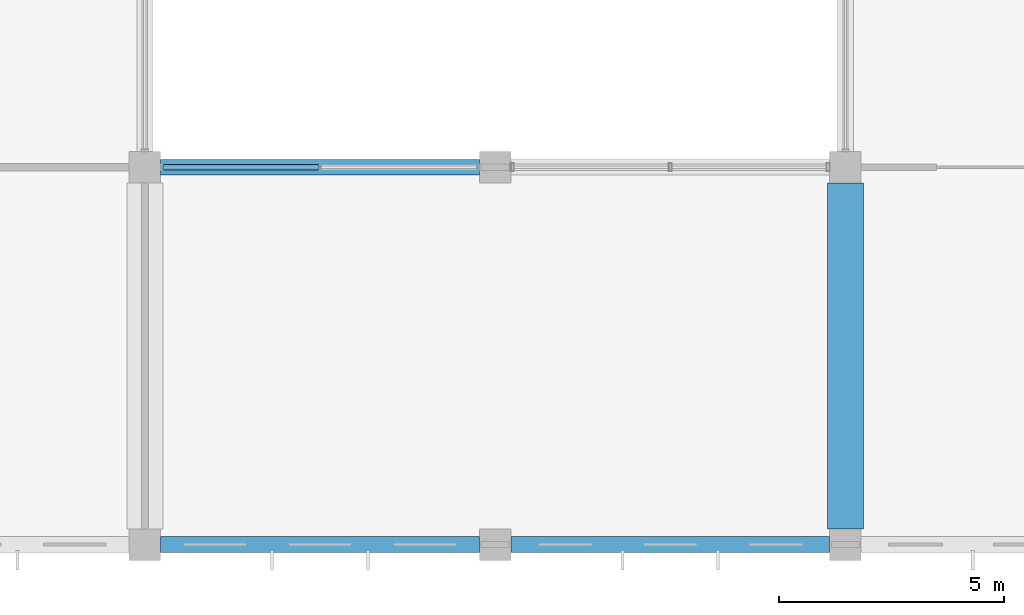
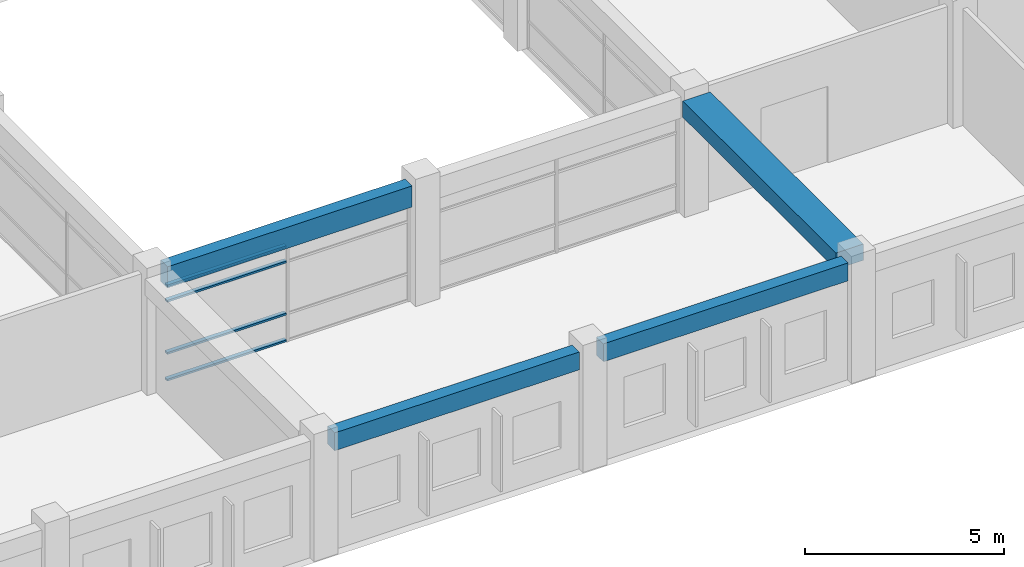
# One storey, part 25 of 72: 4 beams, 4 members, 1 element without a shape of its own.
"""IFC4 building model written with IfcOpenShell, lengths in metres."""

from ifc_helpers import new_model, si_unit, direction, frame, origin, origin_2d, place, context, subcontext, project, spatial, rectangle, hollow_rectangle, extrude, material, material_profile, profile_set, type_object, element, aggregate, save


model = new_model("IFC4")

# Units and contexts
model_context = context("Model", 3, precision=1e-05, world=origin(), true_north=direction((0.0, 1.0)))
body_context = subcontext(model_context, "Body", "Model", "MODEL_VIEW")
ifc_project = project(units=[si_unit("LENGTHUNIT", "METRE"), si_unit("AREAUNIT", "SQUARE_METRE"), si_unit("VOLUMEUNIT", "CUBIC_METRE"), si_unit("PLANEANGLEUNIT", "RADIAN"), si_unit("MASSUNIT", "GRAM", prefix="KILO"), si_unit("THERMODYNAMICTEMPERATUREUNIT", "KELVIN"), si_unit("POWERUNIT", "WATT")], contexts=[model_context])

# Site, building, storey
site_placement = place(None, origin())
site = spatial("IfcSite", under=ifc_project, at=site_placement, CompositionType="ELEMENT")
building_placement = place(site_placement, origin())
building = spatial("IfcBuilding", under=site, at=building_placement, Name="Srebrne Nadtorze General Hospital", CompositionType="ELEMENT")
storey_placement = place(building_placement, frame((0.0, 0.0, 22.199951171875)))
storey = spatial("IfcBuildingStorey", under=building, at=storey_placement, Name="L05", CompositionType="ELEMENT", Elevation=22.199951171875)

# Curtain wall, members
ifc_material_1 = material(Name="Anodised Aluminium", Category="aluminium")
curtain_wall_type = type_object("IfcCurtainWallType", Name="Unitised curtain wall 7100x2950", PredefinedType="NOTDEFINED", material=ifc_material_1)
curtain_wall_placement = place(storey_placement, origin())
curtain_wall = element("IfcCurtainWall", 1, at=curtain_wall_placement, inside=storey, type_object=curtain_wall_type, Name="Curtain wall CW-114", PredefinedType="NOTDEFINED")
ifc_material_2 = material(Name="Anodised Aluminium", Category="aluminium")
ifc_material_profile_1 = material_profile(ifc_material_2, hollow_rectangle(XDim=0.06005859375, YDim=0.1201171875, WallThickness=0.00390625, at=origin_2d()), Name="AL-TRN-60x120")
ifc_profile_set_1 = profile_set([ifc_material_profile_1], Name="Anodised Aluminium")
member_type = type_object("IfcMemberType", Name="Curtain transom 60x120", PredefinedType="USERDEFINED", material=ifc_profile_set_1)
member_1_placement = place(storey_placement, frame((117.409912109375, 8.39990234375, 0.030029296875), z_axis=(1.0, 0.0, 0.0), x_axis=(0.0, 0.0, 1.0)))
member_1 = element("IfcMember", 2, at=member_1_placement, type_object=member_type, Name="CW-114 transom 1.1", ObjectType="TRANSOM", PredefinedType="USERDEFINED", context=body_context, shape_type="SweptSolid", body=[
    extrude(hollow_rectangle(XDim=0.06005859375, YDim=0.1201171875, WallThickness=0.00390625, at=origin_2d()), origin(), (0.0, 0.0, 1.0), 3.460205078125),
])
member_2_placement = place(storey_placement, frame((117.409912109375, 8.39990234375, 0.85009765625), z_axis=(1.0, 0.0, 0.0), x_axis=(0.0, 0.0, 1.0)))
member_2 = element("IfcMember", 3, at=member_2_placement, type_object=member_type, Name="CW-114 transom 1.2", ObjectType="TRANSOM", PredefinedType="USERDEFINED", context=body_context, shape_type="SweptSolid", body=[
    extrude(hollow_rectangle(XDim=0.06005859375, YDim=0.1201171875, WallThickness=0.00390625, at=origin_2d()), origin(), (0.0, 0.0, 1.0), 3.460205078125),
])
member_3_placement = place(storey_placement, frame((117.409912109375, 8.39990234375, 2.449951171875), z_axis=(1.0, 0.0, 0.0), x_axis=(0.0, 0.0, 1.0)))
member_3 = element("IfcMember", 4, at=member_3_placement, type_object=member_type, Name="CW-114 transom 1.3", ObjectType="TRANSOM", PredefinedType="USERDEFINED", context=body_context, shape_type="SweptSolid", body=[
    extrude(hollow_rectangle(XDim=0.06005859375, YDim=0.1201171875, WallThickness=0.00390625, at=origin_2d()), origin(), (0.0, 0.0, 1.0), 3.460205078125),
])
member_4_placement = place(storey_placement, frame((117.409912109375, 8.39990234375, 2.920166015625), z_axis=(1.0, 0.0, 0.0), x_axis=(0.0, 0.0, 1.0)))
member_4 = element("IfcMember", 5, at=member_4_placement, type_object=member_type, Name="CW-114 transom 1.4", ObjectType="TRANSOM", PredefinedType="USERDEFINED", context=body_context, shape_type="SweptSolid", body=[
    extrude(hollow_rectangle(XDim=0.06005859375, YDim=0.1201171875, WallThickness=0.00390625, at=origin_2d()), origin(), (0.0, 0.0, 1.0), 3.460205078125),
])
aggregate(curtain_wall, [member_1, member_2, member_3, member_4])

# Beams
ifc_material_3 = material(Name="Concrete C35/45", Category="concrete")
ifc_material_profile_2 = material_profile(ifc_material_3, rectangle(XDim=0.35009765625, YDim=0.64990234375, at=origin_2d()), Name="RC-BM-350x650")
ifc_profile_set_2 = profile_set([ifc_material_profile_2], Name="Concrete C35/45")
beam_type_1 = type_object("IfcBeamType", Name="Edge beam RC 350x650", PredefinedType="BEAM", material=ifc_profile_set_2)
beam_1_placement = place(storey_placement, frame((117.35009765625, 8.39990234375, 3.275146484375), z_axis=(1.0, 0.0, 0.0), x_axis=(0.0, 1.0, 0.0)))
element("IfcBeam", 6, at=beam_1_placement, inside=storey, type_object=beam_type_1, Name="Beam BM-L05-X-1006", PredefinedType="BEAM", context=body_context, shape_type="SweptSolid", body=[
    extrude(rectangle(XDim=0.35009765625, YDim=0.64990234375, at=origin_2d()), origin(), (0.0, 0.0, 1.0), 7.099853515625),
])
ifc_material_4 = material(Name="Concrete C40/50", Category="concrete")
ifc_material_profile_3 = material_profile(ifc_material_4, rectangle(XDim=0.800048828125, YDim=0.5, at=origin_2d()), Name="RC-BM-800x500")
ifc_profile_set_3 = profile_set([ifc_material_profile_3], Name="Concrete C40/50")
beam_type_2 = type_object("IfcBeamType", Name="Primary beam RC 800x500", PredefinedType="BEAM", material=ifc_profile_set_3)
beam_2_placement = place(storey_placement, frame((132.60009765625, 0.35009765625, 3.35009765625), z_axis=(0.0, 1.0, 0.0), x_axis=(-1.0, 0.0, 0.0)))
element("IfcBeam", 7, at=beam_2_placement, inside=storey, type_object=beam_type_2, Name="Beam BM-L05-Y-1114", PredefinedType="BEAM", context=body_context, shape_type="SweptSolid", body=[
    extrude(rectangle(XDim=0.800048828125, YDim=0.5, at=origin_2d()), origin(), (0.0, 0.0, 1.0), 7.699951171875),
])
ifc_material_5 = material(Name="Concrete C35/45", Category="concrete")
ifc_material_profile_4 = material_profile(ifc_material_5, rectangle(XDim=0.35009765625, YDim=0.550048828125, at=origin_2d()), Name="RC-BM-350x550")
ifc_profile_set_4 = profile_set([ifc_material_profile_4], Name="Concrete C35/45")
beam_type_3 = type_object("IfcBeamType", Name="Spandrel lintel beam RC 350x550", PredefinedType="LINTEL", material=ifc_profile_set_4)
beam_3_placement = place(storey_placement, frame((117.35009765625, 0.0, 3.324951171875), z_axis=(1.0, 0.0, 0.0), x_axis=(0.0, 1.0, 0.0)))
element("IfcBeam", 8, at=beam_3_placement, inside=storey, type_object=beam_type_3, Name="Beam BM-L05-X-0998", PredefinedType="LINTEL", context=body_context, shape_type="SweptSolid", body=[
    extrude(rectangle(XDim=0.35009765625, YDim=0.550048828125, at=origin_2d()), origin(), (0.0, 0.0, 1.0), 7.099853515625),
])
beam_4_placement = place(storey_placement, frame((125.14990234375, 0.0, 3.324951171875), z_axis=(1.0, 0.0, 0.0), x_axis=(0.0, 1.0, 0.0)))
element("IfcBeam", 9, at=beam_4_placement, inside=storey, type_object=beam_type_3, Name="Beam BM-L05-X-0999", PredefinedType="LINTEL", context=body_context, shape_type="SweptSolid", body=[
    extrude(rectangle(XDim=0.35009765625, YDim=0.550048828125, at=origin_2d()), origin(), (0.0, 0.0, 1.0), 7.10009765625),
])

save(model, "model.ifc")
